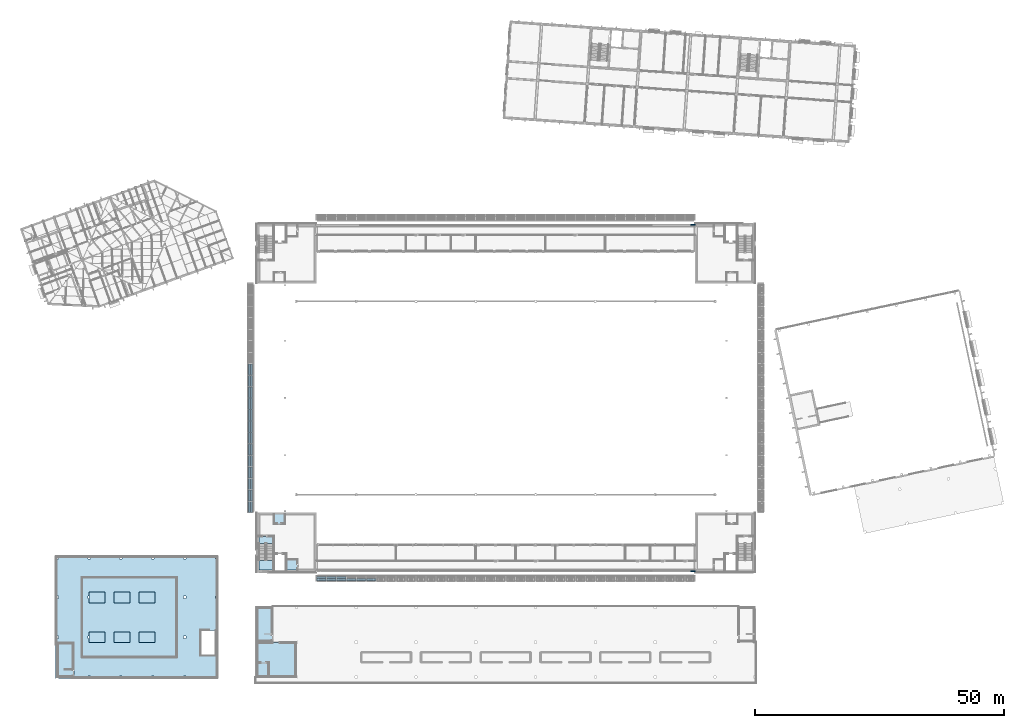
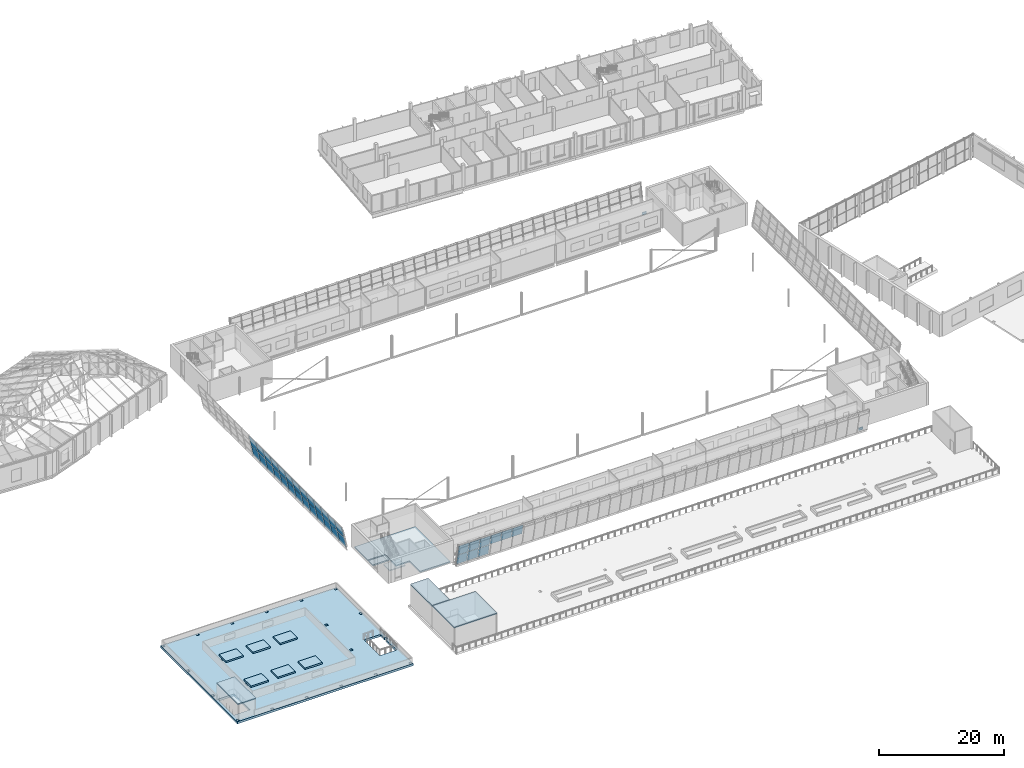
# One storey, part 37 of 95: 35 plates, 13 slabs, 2 beams, 3 elements without a shape of their own.
"""IFC4 building model written with IfcOpenShell, lengths in metres."""

from ifc_helpers import new_model, si_unit, direction, frame, origin, origin_2d, place, context, subcontext, project, spatial, polyline, i_section, outline, extrude, material, layer, layer_set, material_profile, profile_set, type_object, element, aggregate, save


model = new_model("IFC4")

# Units and contexts
model_context = context("Model", 3, precision=1e-05, world=origin(), true_north=direction((0.0, 1.0)))
body_context = subcontext(model_context, "Body", "Model", "MODEL_VIEW")
ifc_project = project(units=[si_unit("LENGTHUNIT", "METRE"), si_unit("AREAUNIT", "SQUARE_METRE"), si_unit("VOLUMEUNIT", "CUBIC_METRE"), si_unit("PLANEANGLEUNIT", "RADIAN"), si_unit("MASSUNIT", "GRAM", prefix="KILO")], contexts=[model_context])

# Site, building, storey
site_placement = place(None, origin())
site = spatial("IfcSite", under=ifc_project, at=site_placement, CompositionType="ELEMENT")
building_placement = place(site_placement, origin())
building = spatial("IfcBuilding", under=site, at=building_placement, Name="Windward Yard Aquatics Centre", CompositionType="ELEMENT")
storey_placement = place(building_placement, frame((0.0, 0.0, 9.39990234375)))
storey = spatial("IfcBuildingStorey", under=building, at=storey_placement, Name="L02", CompositionType="ELEMENT", Elevation=9.39990234375)

# Beams
ifc_material_1 = material(Name="Steel ASTM A992 Gr 50", Category="steel")
ifc_material_profile = material_profile(ifc_material_1, i_section(OverallWidth=0.19091796875, OverallDepth=0.45703125, WebThickness=0.009033203125, FlangeThickness=0.014404296875, at=origin_2d()), Name="W460X74")
ifc_profile_set = profile_set([ifc_material_profile], Name="Steel ASTM A992 Gr 50")
beam_type = type_object("IfcBeamType", Name="H gallery edge beam W460X74", PredefinedType="BEAM", material=ifc_profile_set)
for number, where, z_axis, x_axis, name in (
    (1, (139.17626953125, 26.22509765625, -0.428466796875), (1.0, 0.0, 0.0), (0.0, 1.0, 0.0), "H.GB.S.O9"),
    (2, (139.17626953125, 95.77490234375, -0.428466796875), (1.0, 0.0, 0.0), (0.0, 1.0, 0.0), "H.GB.N.O9"),
):
    element("IfcBeam", number, at=place(storey_placement, frame(where, z_axis=z_axis, x_axis=x_axis)), inside=storey, type_object=beam_type, Name=name, PredefinedType="BEAM", context=body_context, shape_type="SweptSolid", body=[
        extrude(i_section(OverallWidth=0.19091796875, OverallDepth=0.45703125, WebThickness=0.009033203125, FlangeThickness=0.014404296875, at=origin_2d()), origin(), (0.0, 0.0, 1.0), 0.82373046875),
    ])

# Slabs
ifc_material_2 = material(Name="Concrete C35/45", Category="concrete")
ifc_layer_1 = layer(ifc_material_2, 0.199951171875)
ifc_layer_set_1 = layer_set([ifc_layer_1], Name="C head-house roof 200")
slab_type_1 = type_object("IfcSlabType", Name="C head-house roof 200", PredefinedType="ROOF", material=ifc_layer_set_1)
slab_1_placement = place(storey_placement, frame((0.0, 0.0, 4.0)))
element("IfcSlab", 3, at=slab_1_placement, inside=storey, type_object=slab_type_1, Name="C.S.L02.HHL", PredefinedType="ROOF", context=body_context, shape_type="SweptSolid", body=[
    extrude(outline(polyline([(52.0, 5.0), (60.0, 5.0), (60.0, 12.0), (52.0, 12.0), (52.0, 5.0)])), origin(), (0.0, 0.0, 1.0), 0.2001953125),
])
slab_2_placement = place(storey_placement, frame((0.0, 0.0, 4.0)))
element("IfcSlab", 4, at=slab_2_placement, inside=storey, type_object=slab_type_1, Name="C.S.L02.HHS1", PredefinedType="ROOF", context=body_context, shape_type="SweptSolid", body=[
    extrude(outline(polyline([(52.0, 12.050048828125), (55.300048828125, 12.050048828125), (55.300048828125, 19.0), (52.0, 19.0), (52.0, 12.050048828125)])), origin(), (0.0, 0.0, 1.0), 0.2001953125),
])
ifc_layer_2 = layer(ifc_material_2, 0.25)
ifc_layer_set_2 = layer_set([ifc_layer_2], Name="H Core Floor Concrete C35/45 250")
slab_type_2 = type_object("IfcSlabType", Name="H Core Floor Concrete C35/45 250", PredefinedType="FLOOR", material=ifc_layer_set_2)
slab_3_placement = place(storey_placement, frame((0.0, 0.0, -0.25)))
element("IfcSlab", 5, at=slab_3_placement, inside=storey, type_object=slab_type_2, Name="L02 core floor SW", PredefinedType="FLOOR", context=body_context, shape_type="SweptSolid", body=[
    extrude(outline(polyline([(52.449951171875, 33.39990234375), (55.60009765625, 33.39990234375), (55.60009765625, 29.85009765625), (58.10009765625, 29.85009765625), (58.10009765625, 26.449951171875), (63.699951171875, 26.449951171875), (63.699951171875, 37.699951171875), (52.449951171875, 37.699951171875), (52.449951171875, 33.39990234375)])), origin(), (0.0, 0.0, 1.0), 0.25),
])
slab_4_placement = place(storey_placement, frame((0.0, 0.0, -0.25)))
element("IfcSlab", 6, at=slab_4_placement, inside=storey, type_object=slab_type_2, Name="L02 stair floor landing SW", PredefinedType="FLOOR", context=body_context, shape_type="SweptSolid", body=[
    extrude(outline(polyline([(52.449951171875, 31.800048828125), (55.39990234375, 31.800048828125), (55.39990234375, 33.199951171875), (52.449951171875, 33.199951171875), (52.449951171875, 31.800048828125)])), origin(), (0.0, 0.0, 1.0), 0.25),
])

# Stair, slab
stair_type = type_object("IfcStairType", Name="H Core Stair Concrete C35/45 1400", PredefinedType="HALF_TURN_STAIR", material=ifc_material_2)
stair_placement = place(storey_placement, origin())
stair = element("IfcStair", 7, at=stair_placement, inside=storey, type_object=stair_type, Name="L02 Stair SW", PredefinedType="HALF_TURN_STAIR")
ifc_layer_3 = layer(ifc_material_2, 0.199951171875)
ifc_layer_set_3 = layer_set([ifc_layer_3], Name="H Stair Landing Concrete C35/45 200")
slab_type_3 = type_object("IfcSlabType", Name="H Stair Landing Concrete C35/45 200", PredefinedType="LANDING", material=ifc_layer_set_3)
slab_5_placement = place(storey_placement, frame((0.0, 0.0, 2.0)))
slab_5 = element("IfcSlab", 8, at=slab_5_placement, type_object=slab_type_3, Name="ST1 landing 1", PredefinedType="LANDING", context=body_context, shape_type="SweptSolid", body=[
    extrude(outline(polyline([(52.449951171875, 26.449951171875), (55.39990234375, 26.449951171875), (55.39990234375, 28.43994140625), (52.449951171875, 28.43994140625), (52.449951171875, 26.449951171875)])), origin(), (0.0, 0.0, 1.0), 0.2001953125),
])
aggregate(stair, [slab_5])

# Curtain wall, plates
ifc_material_3 = material(Name="Glass and aluminium curtain wall", Category="aluminium")
ifc_layer_4 = layer(ifc_material_3, 0.179931640625)
ifc_layer_set_4 = layer_set([ifc_layer_4], Name="H curtain wall tier 1 double glazed 8+16+8")
curtain_wall_type = type_object("IfcCurtainWallType", Name="H curtain wall tier 1 double glazed 8+16+8", PredefinedType="NOTDEFINED", material=ifc_layer_set_4)
curtain_wall_1_placement = place(storey_placement, origin())
curtain_wall_1 = element("IfcCurtainWall", 9, at=curtain_wall_1_placement, inside=storey, type_object=curtain_wall_type, Name="Tier 1 glazing S L02", PredefinedType="NOTDEFINED")
ifc_material_4 = material(Name="Low-iron glass", Category="glass")
ifc_layer_5 = layer(ifc_material_4, 0.008, Name="Outer pane")
ifc_material_5 = material(Name="Argon-filled cavity")
ifc_layer_6 = layer(ifc_material_5, 0.016, Name="Cavity")
ifc_layer_7 = layer(ifc_material_4, 0.008, Name="Inner pane")
ifc_layer_set_5 = layer_set([ifc_layer_5, ifc_layer_6, ifc_layer_7], Name="H tier 1 glass low-e double glazed unit 32")
plate_type = type_object("IfcPlateType", Name="H tier 1 glass low-e double glazed unit 32", PredefinedType="CURTAIN_PANEL", material=ifc_layer_set_5)
plate_1_placement = place(storey_placement, frame((64.06494140625, 24.7900390625, 2.079345703125), z_axis=(0.0, 0.979933459069, 0.199324900092), x_axis=(0.0, 0.199324900092, -0.979933459069)))
plate_1 = element("IfcPlate", 10, at=plate_1_placement, type_object=plate_type, Name="G1SA panel 1.1", PredefinedType="CURTAIN_PANEL", context=body_context, shape_type="SweptSolid", body=[
    extrude(outline(polyline([(0.0, 0.0), (2.018532, 0.0), (2.018532, -1.902344), (0.0, -1.902344), (0.0, 0.0)])), origin(), (0.0, 0.0, -1.0), 0.031982421875),
])
plate_2_placement = place(storey_placement, frame((64.06494140625, 24.368896484375, 4.14892578125), z_axis=(0.0, 0.979926619255, 0.199358523457), x_axis=(0.0, 0.199358523457, -0.979926619255)))
plate_2 = element("IfcPlate", 11, at=plate_2_placement, type_object=plate_type, Name="G1SA panel 1.2", PredefinedType="CURTAIN_PANEL", context=body_context, shape_type="SweptSolid", body=[
    extrude(outline(polyline([(0.0, 0.0), (2.012069, 0.0), (2.012069, -1.902344), (0.0, -1.902344), (0.0, 0.0)])), origin(), (0.0, 0.0, -1.0), 0.031982421875),
])
plate_3_placement = place(storey_placement, frame((66.0322265625, 24.7900390625, 2.079345703125), z_axis=(0.0, 0.979933459069, 0.199324900092), x_axis=(0.0, 0.199324900092, -0.979933459069)))
plate_3 = element("IfcPlate", 12, at=plate_3_placement, type_object=plate_type, Name="G1SA panel 2.1", PredefinedType="CURTAIN_PANEL", context=body_context, shape_type="SweptSolid", body=[
    extrude(outline(polyline([(0.0, 0.0), (2.018532, 0.0), (2.018532, -1.934814), (0.0, -1.934814), (0.0, 0.0)])), origin(), (0.0, 0.0, -1.0), 0.031982421875),
])
plate_4_placement = place(storey_placement, frame((66.0322265625, 24.368896484375, 4.14892578125), z_axis=(0.0, 0.979926619255, 0.199358523457), x_axis=(0.0, 0.199358523457, -0.979926619255)))
plate_4 = element("IfcPlate", 13, at=plate_4_placement, type_object=plate_type, Name="G1SA panel 2.2", PredefinedType="CURTAIN_PANEL", context=body_context, shape_type="SweptSolid", body=[
    extrude(outline(polyline([(0.0, 0.0), (2.012069, 0.0), (2.012069, -1.934814), (0.0, -1.934814), (0.0, 0.0)])), origin(), (0.0, 0.0, -1.0), 0.031982421875),
])
plate_5_placement = place(storey_placement, frame((68.031982421875, 24.7900390625, 2.079345703125), z_axis=(0.0, 0.979933459069, 0.199324900092), x_axis=(0.0, 0.199324900092, -0.979933459069)))
plate_5 = element("IfcPlate", 14, at=plate_5_placement, type_object=plate_type, Name="G1SA panel 3.1", PredefinedType="CURTAIN_PANEL", context=body_context, shape_type="SweptSolid", body=[
    extrude(outline(polyline([(0.0, 0.0), (2.018532, 0.0), (2.018532, -1.934814), (0.0, -1.934814), (0.0, 0.0)])), origin(), (0.0, 0.0, -1.0), 0.031982421875),
])
plate_6_placement = place(storey_placement, frame((68.031982421875, 24.368896484375, 4.14892578125), z_axis=(0.0, 0.979926619255, 0.199358523457), x_axis=(0.0, 0.199358523457, -0.979926619255)))
plate_6 = element("IfcPlate", 15, at=plate_6_placement, type_object=plate_type, Name="G1SA panel 3.2", PredefinedType="CURTAIN_PANEL", context=body_context, shape_type="SweptSolid", body=[
    extrude(outline(polyline([(0.0, 0.0), (2.012069, 0.0), (2.012069, -1.934814), (0.0, -1.934814), (0.0, 0.0)])), origin(), (0.0, 0.0, -1.0), 0.031982421875),
])
plate_7_placement = place(storey_placement, frame((70.03173828125, 24.368896484375, 4.14892578125), z_axis=(0.0, 0.979926619255, 0.199358523457), x_axis=(0.0, 0.199358523457, -0.979926619255)))
plate_7 = element("IfcPlate", 16, at=plate_7_placement, type_object=plate_type, Name="G1SA panel 4.2", PredefinedType="CURTAIN_PANEL", context=body_context, shape_type="SweptSolid", body=[
    extrude(outline(polyline([(0.0, 0.0), (2.012069, 0.0), (2.012069, -1.934814), (0.0, -1.934814), (0.0, 0.0)])), origin(), (0.0, 0.0, -1.0), 0.031982421875),
])
plate_8_placement = place(storey_placement, frame((72.031494140625, 24.368896484375, 4.14892578125), z_axis=(0.0, 0.979926619255, 0.199358523457), x_axis=(0.0, 0.199358523457, -0.979926619255)))
plate_8 = element("IfcPlate", 17, at=plate_8_placement, type_object=plate_type, Name="G1SA panel 5.2", PredefinedType="CURTAIN_PANEL", context=body_context, shape_type="SweptSolid", body=[
    extrude(outline(polyline([(0.0, 0.0), (2.012069, 0.0), (2.012069, -1.93457), (0.0, -1.93457), (0.0, 0.0)])), origin(), (0.0, 0.0, -1.0), 0.031982421875),
])
plate_9_placement = place(storey_placement, frame((74.03125, 24.368896484375, 4.14892578125), z_axis=(0.0, 0.979926619255, 0.199358523457), x_axis=(0.0, 0.199358523457, -0.979926619255)))
plate_9 = element("IfcPlate", 18, at=plate_9_placement, type_object=plate_type, Name="G1SA panel 6.2", PredefinedType="CURTAIN_PANEL", context=body_context, shape_type="SweptSolid", body=[
    extrude(outline(polyline([(0.0, 0.0), (2.012069, 0.0), (2.012069, -1.93457), (0.0, -1.93457), (0.0, 0.0)])), origin(), (0.0, 0.0, -1.0), 0.031982421875),
])
aggregate(curtain_wall_1, [plate_1, plate_2, plate_3, plate_4, plate_5, plate_6, plate_7, plate_8, plate_9])

curtain_wall_2_placement = place(storey_placement, origin())
curtain_wall_2 = element("IfcCurtainWall", 19, at=curtain_wall_2_placement, inside=storey, type_object=curtain_wall_type, Name="Tier 1 glazing W L02", PredefinedType="NOTDEFINED")
plate_10_placement = place(storey_placement, frame((50.7900390625, 38.06494140625, 2.079345703125), z_axis=(0.979933459069, 0.0, 0.199324900092), x_axis=(0.199324900092, 0.0, -0.979933459069)))
plate_10 = element("IfcPlate", 20, at=plate_10_placement, type_object=plate_type, Name="G1WA panel 1.1", PredefinedType="CURTAIN_PANEL", context=body_context, shape_type="SweptSolid", body=[
    extrude(outline(polyline([(0.0, 0.0), (2.018532, 0.0), (2.018532, 2.202637), (0.0, 2.202637), (0.0, 0.0)])), origin(), (0.0, 0.0, -1.0), 0.031982421875),
])
plate_11_placement = place(storey_placement, frame((50.368896484375, 38.06494140625, 4.14892578125), z_axis=(0.979926619255, 0.0, 0.199358523457), x_axis=(0.199358523457, 0.0, -0.979926619255)))
plate_11 = element("IfcPlate", 21, at=plate_11_placement, type_object=plate_type, Name="G1WA panel 1.2", PredefinedType="CURTAIN_PANEL", context=body_context, shape_type="SweptSolid", body=[
    extrude(outline(polyline([(0.0, 0.0), (2.012069, 0.0), (2.012069, 2.202637), (0.0, 2.202637), (0.0, 0.0)])), origin(), (0.0, 0.0, -1.0), 0.031982421875),
])
plate_12_placement = place(storey_placement, frame((50.7900390625, 40.33251953125, 2.079345703125), z_axis=(0.979933459069, 0.0, 0.199324900092), x_axis=(0.199324900092, 0.0, -0.979933459069)))
plate_12 = element("IfcPlate", 22, at=plate_12_placement, type_object=plate_type, Name="G1WA panel 2.1", PredefinedType="CURTAIN_PANEL", context=body_context, shape_type="SweptSolid", body=[
    extrude(outline(polyline([(0.0, 0.0), (2.018532, 0.0), (2.018532, 2.234863), (0.0, 2.234863), (0.0, 0.0)])), origin(), (0.0, 0.0, -1.0), 0.031982421875),
])
plate_13_placement = place(storey_placement, frame((50.368896484375, 40.33251953125, 4.14892578125), z_axis=(0.979926619255, 0.0, 0.199358523457), x_axis=(0.199358523457, 0.0, -0.979926619255)))
plate_13 = element("IfcPlate", 23, at=plate_13_placement, type_object=plate_type, Name="G1WA panel 2.2", PredefinedType="CURTAIN_PANEL", context=body_context, shape_type="SweptSolid", body=[
    extrude(outline(polyline([(0.0, 0.0), (2.012069, 0.0), (2.012069, 2.234863), (0.0, 2.234863), (0.0, 0.0)])), origin(), (0.0, 0.0, -1.0), 0.031982421875),
])
plate_14_placement = place(storey_placement, frame((50.7900390625, 42.632568359375, 2.079345703125), z_axis=(0.979933459069, 0.0, 0.199324900092), x_axis=(0.199324900092, 0.0, -0.979933459069)))
plate_14 = element("IfcPlate", 24, at=plate_14_placement, type_object=plate_type, Name="G1WA panel 3.1", PredefinedType="CURTAIN_PANEL", context=body_context, shape_type="SweptSolid", body=[
    extrude(outline(polyline([(0.0, 0.0), (2.018532, 0.0), (2.018532, 2.234863), (0.0, 2.234863), (0.0, 0.0)])), origin(), (0.0, 0.0, -1.0), 0.031982421875),
])
plate_15_placement = place(storey_placement, frame((50.368896484375, 42.632568359375, 4.14892578125), z_axis=(0.979926619255, 0.0, 0.199358523457), x_axis=(0.199358523457, 0.0, -0.979926619255)))
plate_15 = element("IfcPlate", 25, at=plate_15_placement, type_object=plate_type, Name="G1WA panel 3.2", PredefinedType="CURTAIN_PANEL", context=body_context, shape_type="SweptSolid", body=[
    extrude(outline(polyline([(0.0, 0.0), (2.012069, 0.0), (2.012069, 2.234863), (0.0, 2.234863), (0.0, 0.0)])), origin(), (0.0, 0.0, -1.0), 0.031982421875),
])
plate_16_placement = place(storey_placement, frame((50.7900390625, 44.9326171875, 2.079345703125), z_axis=(0.979933459069, 0.0, 0.199324900092), x_axis=(0.199324900092, 0.0, -0.979933459069)))
plate_16 = element("IfcPlate", 26, at=plate_16_placement, type_object=plate_type, Name="G1WA panel 4.1", PredefinedType="CURTAIN_PANEL", context=body_context, shape_type="SweptSolid", body=[
    extrude(outline(polyline([(0.0, 0.0), (2.018532, 0.0), (2.018532, 2.234863), (0.0, 2.234863), (0.0, 0.0)])), origin(), (0.0, 0.0, -1.0), 0.031982421875),
])
plate_17_placement = place(storey_placement, frame((50.368896484375, 44.9326171875, 4.14892578125), z_axis=(0.979926619255, 0.0, 0.199358523457), x_axis=(0.199358523457, 0.0, -0.979926619255)))
plate_17 = element("IfcPlate", 27, at=plate_17_placement, type_object=plate_type, Name="G1WA panel 4.2", PredefinedType="CURTAIN_PANEL", context=body_context, shape_type="SweptSolid", body=[
    extrude(outline(polyline([(0.0, 0.0), (2.012069, 0.0), (2.012069, 2.234863), (0.0, 2.234863), (0.0, 0.0)])), origin(), (0.0, 0.0, -1.0), 0.031982421875),
])
plate_18_placement = place(storey_placement, frame((50.7900390625, 47.232421875, 2.079345703125), z_axis=(0.979933459069, 0.0, 0.199324900092), x_axis=(0.199324900092, 0.0, -0.979933459069)))
plate_18 = element("IfcPlate", 28, at=plate_18_placement, type_object=plate_type, Name="G1WA panel 5.1", PredefinedType="CURTAIN_PANEL", context=body_context, shape_type="SweptSolid", body=[
    extrude(outline(polyline([(0.0, 0.0), (2.018532, 0.0), (2.018532, 2.235107), (0.0, 2.235107), (0.0, 0.0)])), origin(), (0.0, 0.0, -1.0), 0.031982421875),
])
plate_19_placement = place(storey_placement, frame((50.368896484375, 47.232421875, 4.14892578125), z_axis=(0.979926619255, 0.0, 0.199358523457), x_axis=(0.199358523457, 0.0, -0.979926619255)))
plate_19 = element("IfcPlate", 29, at=plate_19_placement, type_object=plate_type, Name="G1WA panel 5.2", PredefinedType="CURTAIN_PANEL", context=body_context, shape_type="SweptSolid", body=[
    extrude(outline(polyline([(0.0, 0.0), (2.012069, 0.0), (2.012069, 2.235107), (0.0, 2.235107), (0.0, 0.0)])), origin(), (0.0, 0.0, -1.0), 0.031982421875),
])
plate_20_placement = place(storey_placement, frame((50.7900390625, 49.532470703125, 2.079345703125), z_axis=(0.979933459069, 0.0, 0.199324900092), x_axis=(0.199324900092, 0.0, -0.979933459069)))
plate_20 = element("IfcPlate", 30, at=plate_20_placement, type_object=plate_type, Name="G1WA panel 6.1", PredefinedType="CURTAIN_PANEL", context=body_context, shape_type="SweptSolid", body=[
    extrude(outline(polyline([(0.0, 0.0), (2.018532, 0.0), (2.018532, 2.235107), (0.0, 2.235107), (0.0, 0.0)])), origin(), (0.0, 0.0, -1.0), 0.031982421875),
])
plate_21_placement = place(storey_placement, frame((50.368896484375, 49.532470703125, 4.14892578125), z_axis=(0.979926619255, 0.0, 0.199358523457), x_axis=(0.199358523457, 0.0, -0.979926619255)))
plate_21 = element("IfcPlate", 31, at=plate_21_placement, type_object=plate_type, Name="G1WA panel 6.2", PredefinedType="CURTAIN_PANEL", context=body_context, shape_type="SweptSolid", body=[
    extrude(outline(polyline([(0.0, 0.0), (2.012069, 0.0), (2.012069, 2.235107), (0.0, 2.235107), (0.0, 0.0)])), origin(), (0.0, 0.0, -1.0), 0.031982421875),
])
plate_22_placement = place(storey_placement, frame((50.7900390625, 51.83251953125, 2.079345703125), z_axis=(0.979933459069, 0.0, 0.199324900092), x_axis=(0.199324900092, 0.0, -0.979933459069)))
plate_22 = element("IfcPlate", 32, at=plate_22_placement, type_object=plate_type, Name="G1WA panel 7.1", PredefinedType="CURTAIN_PANEL", context=body_context, shape_type="SweptSolid", body=[
    extrude(outline(polyline([(0.0, 0.0), (2.018532, 0.0), (2.018532, 2.234863), (0.0, 2.234863), (0.0, 0.0)])), origin(), (0.0, 0.0, -1.0), 0.031982421875),
])
plate_23_placement = place(storey_placement, frame((50.368896484375, 51.83251953125, 4.14892578125), z_axis=(0.979926619255, 0.0, 0.199358523457), x_axis=(0.199358523457, 0.0, -0.979926619255)))
plate_23 = element("IfcPlate", 33, at=plate_23_placement, type_object=plate_type, Name="G1WA panel 7.2", PredefinedType="CURTAIN_PANEL", context=body_context, shape_type="SweptSolid", body=[
    extrude(outline(polyline([(0.0, 0.0), (2.012069, 0.0), (2.012069, 2.234863), (0.0, 2.234863), (0.0, 0.0)])), origin(), (0.0, 0.0, -1.0), 0.031982421875),
])
plate_24_placement = place(storey_placement, frame((50.7900390625, 54.132568359375, 2.079345703125), z_axis=(0.979933459069, 0.0, 0.199324900092), x_axis=(0.199324900092, 0.0, -0.979933459069)))
plate_24 = element("IfcPlate", 34, at=plate_24_placement, type_object=plate_type, Name="G1WA panel 8.1", PredefinedType="CURTAIN_PANEL", context=body_context, shape_type="SweptSolid", body=[
    extrude(outline(polyline([(0.0, 0.0), (2.018532, 0.0), (2.018532, 2.234863), (0.0, 2.234863), (0.0, 0.0)])), origin(), (0.0, 0.0, -1.0), 0.031982421875),
])
plate_25_placement = place(storey_placement, frame((50.368896484375, 54.132568359375, 4.14892578125), z_axis=(0.979926619255, 0.0, 0.199358523457), x_axis=(0.199358523457, 0.0, -0.979926619255)))
plate_25 = element("IfcPlate", 35, at=plate_25_placement, type_object=plate_type, Name="G1WA panel 8.2", PredefinedType="CURTAIN_PANEL", context=body_context, shape_type="SweptSolid", body=[
    extrude(outline(polyline([(0.0, 0.0), (2.012069, 0.0), (2.012069, 2.234863), (0.0, 2.234863), (0.0, 0.0)])), origin(), (0.0, 0.0, -1.0), 0.031982421875),
])
plate_26_placement = place(storey_placement, frame((50.7900390625, 56.4326171875, 2.079345703125), z_axis=(0.979933459069, 0.0, 0.199324900092), x_axis=(0.199324900092, 0.0, -0.979933459069)))
plate_26 = element("IfcPlate", 36, at=plate_26_placement, type_object=plate_type, Name="G1WA panel 9.1", PredefinedType="CURTAIN_PANEL", context=body_context, shape_type="SweptSolid", body=[
    extrude(outline(polyline([(0.0, 0.0), (2.018532, 0.0), (2.018532, 2.234863), (0.0, 2.234863), (0.0, 0.0)])), origin(), (0.0, 0.0, -1.0), 0.031982421875),
])
plate_27_placement = place(storey_placement, frame((50.368896484375, 56.4326171875, 4.14892578125), z_axis=(0.979926619255, 0.0, 0.199358523457), x_axis=(0.199358523457, 0.0, -0.979926619255)))
plate_27 = element("IfcPlate", 37, at=plate_27_placement, type_object=plate_type, Name="G1WA panel 9.2", PredefinedType="CURTAIN_PANEL", context=body_context, shape_type="SweptSolid", body=[
    extrude(outline(polyline([(0.0, 0.0), (2.012069, 0.0), (2.012069, 2.234863), (0.0, 2.234863), (0.0, 0.0)])), origin(), (0.0, 0.0, -1.0), 0.031982421875),
])
plate_28_placement = place(storey_placement, frame((50.7900390625, 58.732421875, 2.079345703125), z_axis=(0.979933459069, 0.0, 0.199324900092), x_axis=(0.199324900092, 0.0, -0.979933459069)))
plate_28 = element("IfcPlate", 38, at=plate_28_placement, type_object=plate_type, Name="G1WA panel 10.1", PredefinedType="CURTAIN_PANEL", context=body_context, shape_type="SweptSolid", body=[
    extrude(outline(polyline([(0.0, 0.0), (2.018532, 0.0), (2.018532, 2.235107), (0.0, 2.235107), (0.0, 0.0)])), origin(), (0.0, 0.0, -1.0), 0.031982421875),
])
plate_29_placement = place(storey_placement, frame((50.368896484375, 58.732421875, 4.14892578125), z_axis=(0.979926619255, 0.0, 0.199358523457), x_axis=(0.199358523457, 0.0, -0.979926619255)))
plate_29 = element("IfcPlate", 39, at=plate_29_placement, type_object=plate_type, Name="G1WA panel 10.2", PredefinedType="CURTAIN_PANEL", context=body_context, shape_type="SweptSolid", body=[
    extrude(outline(polyline([(0.0, 0.0), (2.012069, 0.0), (2.012069, 2.235107), (0.0, 2.235107), (0.0, 0.0)])), origin(), (0.0, 0.0, -1.0), 0.031982421875),
])
plate_30_placement = place(storey_placement, frame((50.7900390625, 61.032470703125, 2.079345703125), z_axis=(0.979933459069, 0.0, 0.199324900092), x_axis=(0.199324900092, 0.0, -0.979933459069)))
plate_30 = element("IfcPlate", 40, at=plate_30_placement, type_object=plate_type, Name="G1WA panel 11.1", PredefinedType="CURTAIN_PANEL", context=body_context, shape_type="SweptSolid", body=[
    extrude(outline(polyline([(0.0, 0.0), (2.018532, 0.0), (2.018532, 2.235107), (0.0, 2.235107), (0.0, 0.0)])), origin(), (0.0, 0.0, -1.0), 0.031982421875),
])
plate_31_placement = place(storey_placement, frame((50.368896484375, 61.032470703125, 4.14892578125), z_axis=(0.979926619255, 0.0, 0.199358523457), x_axis=(0.199358523457, 0.0, -0.979926619255)))
plate_31 = element("IfcPlate", 41, at=plate_31_placement, type_object=plate_type, Name="G1WA panel 11.2", PredefinedType="CURTAIN_PANEL", context=body_context, shape_type="SweptSolid", body=[
    extrude(outline(polyline([(0.0, 0.0), (2.012069, 0.0), (2.012069, 2.235107), (0.0, 2.235107), (0.0, 0.0)])), origin(), (0.0, 0.0, -1.0), 0.031982421875),
])
plate_32_placement = place(storey_placement, frame((50.7900390625, 63.33251953125, 2.079345703125), z_axis=(0.979933459069, 0.0, 0.199324900092), x_axis=(0.199324900092, 0.0, -0.979933459069)))
plate_32 = element("IfcPlate", 42, at=plate_32_placement, type_object=plate_type, Name="G1WA panel 12.1", PredefinedType="CURTAIN_PANEL", context=body_context, shape_type="SweptSolid", body=[
    extrude(outline(polyline([(0.0, 0.0), (2.018532, 0.0), (2.018532, 2.234863), (0.0, 2.234863), (0.0, 0.0)])), origin(), (0.0, 0.0, -1.0), 0.031982421875),
])
plate_33_placement = place(storey_placement, frame((50.368896484375, 63.33251953125, 4.14892578125), z_axis=(0.979926619255, 0.0, 0.199358523457), x_axis=(0.199358523457, 0.0, -0.979926619255)))
plate_33 = element("IfcPlate", 43, at=plate_33_placement, type_object=plate_type, Name="G1WA panel 12.2", PredefinedType="CURTAIN_PANEL", context=body_context, shape_type="SweptSolid", body=[
    extrude(outline(polyline([(0.0, 0.0), (2.012069, 0.0), (2.012069, 2.234863), (0.0, 2.234863), (0.0, 0.0)])), origin(), (0.0, 0.0, -1.0), 0.031982421875),
])
plate_34_placement = place(storey_placement, frame((50.7900390625, 65.632568359375, 2.079345703125), z_axis=(0.979933459069, 0.0, 0.199324900092), x_axis=(0.199324900092, 0.0, -0.979933459069)))
plate_34 = element("IfcPlate", 44, at=plate_34_placement, type_object=plate_type, Name="G1WA panel 13.1", PredefinedType="CURTAIN_PANEL", context=body_context, shape_type="SweptSolid", body=[
    extrude(outline(polyline([(0.0, 0.0), (2.018532, 0.0), (2.018532, 2.234863), (0.0, 2.234863), (0.0, 0.0)])), origin(), (0.0, 0.0, -1.0), 0.031982421875),
])
plate_35_placement = place(storey_placement, frame((50.368896484375, 65.632568359375, 4.14892578125), z_axis=(0.979926619255, 0.0, 0.199358523457), x_axis=(0.199358523457, 0.0, -0.979926619255)))
plate_35 = element("IfcPlate", 45, at=plate_35_placement, type_object=plate_type, Name="G1WA panel 13.2", PredefinedType="CURTAIN_PANEL", context=body_context, shape_type="SweptSolid", body=[
    extrude(outline(polyline([(0.0, 0.0), (2.012069, 0.0), (2.012069, 2.234863), (0.0, 2.234863), (0.0, 0.0)])), origin(), (0.0, 0.0, -1.0), 0.031982421875),
])
aggregate(curtain_wall_2, [plate_10, plate_11, plate_12, plate_13, plate_14, plate_15, plate_16, plate_17, plate_18, plate_19, plate_20, plate_21, plate_22, plate_23, plate_24, plate_25, plate_26, plate_27, plate_28, plate_29, plate_30, plate_31, plate_32, plate_33, plate_34, plate_35])

# Slabs
ifc_layer_8 = layer(ifc_material_2, 0.300048828125)
ifc_layer_set_6 = layer_set([ifc_layer_8], Name="P equipment base 300")
slab_type_4 = type_object("IfcSlabType", Name="P equipment base 300", PredefinedType="FLOOR", material=ifc_layer_set_6)
slab_6_placement = place(storey_placement, origin())
element("IfcSlab", 46, at=slab_6_placement, inside=storey, type_object=slab_type_4, Name="P.S.L02.EB1", PredefinedType="FLOOR", context=body_context, shape_type="SweptSolid", body=[
    extrude(outline(polyline([(18.39990234375, 11.89990234375), (21.60009765625, 11.89990234375), (21.60009765625, 14.10009765625), (18.39990234375, 14.10009765625), (18.39990234375, 11.89990234375)])), origin(), (0.0, 0.0, 1.0), 0.300048828125),
])
slab_7_placement = place(storey_placement, origin())
element("IfcSlab", 47, at=slab_7_placement, inside=storey, type_object=slab_type_4, Name="P.S.L02.EB2", PredefinedType="FLOOR", context=body_context, shape_type="SweptSolid", body=[
    extrude(outline(polyline([(23.39990234375, 11.89990234375), (26.60009765625, 11.89990234375), (26.60009765625, 14.10009765625), (23.39990234375, 14.10009765625), (23.39990234375, 11.89990234375)])), origin(), (0.0, 0.0, 1.0), 0.300048828125),
])
slab_8_placement = place(storey_placement, origin())
element("IfcSlab", 48, at=slab_8_placement, inside=storey, type_object=slab_type_4, Name="P.S.L02.EB3", PredefinedType="FLOOR", context=body_context, shape_type="SweptSolid", body=[
    extrude(outline(polyline([(28.39990234375, 11.89990234375), (31.60009765625, 11.89990234375), (31.60009765625, 14.10009765625), (28.39990234375, 14.10009765625), (28.39990234375, 11.89990234375)])), origin(), (0.0, 0.0, 1.0), 0.300048828125),
])
slab_9_placement = place(storey_placement, origin())
element("IfcSlab", 49, at=slab_9_placement, inside=storey, type_object=slab_type_4, Name="P.S.L02.EB4", PredefinedType="FLOOR", context=body_context, shape_type="SweptSolid", body=[
    extrude(outline(polyline([(18.39990234375, 19.89990234375), (21.60009765625, 19.89990234375), (21.60009765625, 22.10009765625), (18.39990234375, 22.10009765625), (18.39990234375, 19.89990234375)])), origin(), (0.0, 0.0, 1.0), 0.300048828125),
])
slab_10_placement = place(storey_placement, origin())
element("IfcSlab", 50, at=slab_10_placement, inside=storey, type_object=slab_type_4, Name="P.S.L02.EB5", PredefinedType="FLOOR", context=body_context, shape_type="SweptSolid", body=[
    extrude(outline(polyline([(23.39990234375, 19.89990234375), (26.60009765625, 19.89990234375), (26.60009765625, 22.10009765625), (23.39990234375, 22.10009765625), (23.39990234375, 19.89990234375)])), origin(), (0.0, 0.0, 1.0), 0.300048828125),
])
slab_11_placement = place(storey_placement, origin())
element("IfcSlab", 51, at=slab_11_placement, inside=storey, type_object=slab_type_4, Name="P.S.L02.EB6", PredefinedType="FLOOR", context=body_context, shape_type="SweptSolid", body=[
    extrude(outline(polyline([(28.39990234375, 19.89990234375), (31.60009765625, 19.89990234375), (31.60009765625, 22.10009765625), (28.39990234375, 22.10009765625), (28.39990234375, 19.89990234375)])), origin(), (0.0, 0.0, 1.0), 0.300048828125),
])
ifc_layer_9 = layer(ifc_material_2, 0.199951171875)
ifc_layer_set_7 = layer_set([ifc_layer_9], Name="P head-house roof 200")
slab_type_5 = type_object("IfcSlabType", Name="P head-house roof 200", PredefinedType="ROOF", material=ifc_layer_set_7)
slab_12_placement = place(storey_placement, frame((0.0, 0.0, 3.0)))
element("IfcSlab", 52, at=slab_12_placement, inside=storey, type_object=slab_type_5, Name="P.S.L02.HHR", PredefinedType="ROOF", context=body_context, shape_type="SweptSolid", body=[
    extrude(outline(polyline([(12.0, 5.0), (15.35009765625, 5.0), (15.35009765625, 11.89990234375), (12.0, 11.89990234375), (12.0, 5.0)])), origin(), (0.0, 0.0, 1.0), 0.2001953125),
])
ifc_material_6 = material(Name="Bituminous waterproofing membrane with root barrier")
ifc_layer_10 = layer(ifc_material_6, 0.005, Name="Waterproofing")
ifc_material_7 = material(Name="Mineral wool insulation")
ifc_layer_11 = layer(ifc_material_7, 0.08, Name="Insulation")
ifc_material_8 = material(Name="Cement screed laid to falls")
ifc_layer_12 = layer(ifc_material_8, 0.04, Name="Falls")
ifc_layer_13 = layer(ifc_material_2, 0.295, Name="Structure")
ifc_layer_set_8 = layer_set([ifc_layer_10, ifc_layer_11, ifc_layer_12, ifc_layer_13], Name="P roof slab 420")
slab_type_6 = type_object("IfcSlabType", Name="P roof slab 420", PredefinedType="ROOF", material=ifc_layer_set_8)
slab_13_placement = place(storey_placement, frame((0.0, 0.0, -0.419921875)))
element("IfcSlab", 53, at=slab_13_placement, inside=storey, type_object=slab_type_6, Name="P.S.L02", PredefinedType="ROOF", context=body_context, shape_type="SweptSolid", body=[
    extrude(outline(polyline([(11.699951171875, 4.699951171875), (44.300048828125, 4.699951171875), (44.300048828125, 29.300048828125), (11.699951171875, 29.300048828125), (11.699951171875, 4.699951171875)]), holes=[polyline([(11.75, 4.75), (11.75, 5.25), (12.25, 5.25), (12.25, 4.75), (11.75, 4.75)]), polyline([(18.14990234375, 4.75), (18.14990234375, 5.25), (18.64990234375, 5.25), (18.64990234375, 4.75), (18.14990234375, 4.75)]), polyline([(24.550048828125, 4.75), (24.550048828125, 5.25), (25.050048828125, 5.25), (25.050048828125, 4.75), (24.550048828125, 4.75)]), polyline([(12.14990234375, 6.610107421875), (12.14990234375, 11.699951171875), (15.14990234375, 11.699951171875), (15.14990234375, 6.610107421875), (12.14990234375, 6.610107421875)]), polyline([(11.75, 12.75), (11.75, 13.25), (12.25, 13.25), (12.25, 12.75), (11.75, 12.75)]), polyline([(18.14990234375, 12.75), (18.14990234375, 13.25), (18.64990234375, 13.25), (18.64990234375, 12.75), (18.14990234375, 12.75)]), polyline([(24.550048828125, 12.75), (24.550048828125, 13.25), (25.050048828125, 13.25), (25.050048828125, 12.75), (24.550048828125, 12.75)]), polyline([(11.75, 20.75), (11.75, 21.25), (12.25, 21.25), (12.25, 20.75), (11.75, 20.75)]), polyline([(18.14990234375, 20.75), (18.14990234375, 21.25), (18.64990234375, 21.25), (18.64990234375, 20.75), (18.14990234375, 20.75)]), polyline([(24.550048828125, 20.75), (24.550048828125, 21.25), (25.050048828125, 21.25), (25.050048828125, 20.75), (24.550048828125, 20.75)]), polyline([(11.75, 28.75), (11.75, 29.25), (12.25, 29.25), (12.25, 28.75), (11.75, 28.75)]), polyline([(18.14990234375, 28.75), (18.14990234375, 29.25), (18.64990234375, 29.25), (18.64990234375, 28.75), (18.14990234375, 28.75)]), polyline([(24.550048828125, 28.75), (24.550048828125, 29.25), (25.050048828125, 29.25), (25.050048828125, 28.75), (24.550048828125, 28.75)]), polyline([(30.949951171875, 4.75), (30.949951171875, 5.25), (31.449951171875, 5.25), (31.449951171875, 4.75), (30.949951171875, 4.75)]), polyline([(37.35009765625, 4.75), (37.35009765625, 5.25), (37.85009765625, 5.25), (37.85009765625, 4.75), (37.35009765625, 4.75)]), polyline([(43.75, 4.75), (43.75, 5.25), (44.25, 5.25), (44.25, 4.75), (43.75, 4.75)]), polyline([(40.75, 9.300048828125), (40.75, 14.389892578125), (43.85009765625, 14.389892578125), (43.85009765625, 13.25), (44.25, 13.25), (44.25, 12.75), (43.85009765625, 12.75), (43.85009765625, 9.300048828125), (40.75, 9.300048828125)]), polyline([(30.949951171875, 12.75), (30.949951171875, 13.25), (31.449951171875, 13.25), (31.449951171875, 12.75), (30.949951171875, 12.75)]), polyline([(37.35009765625, 12.75), (37.35009765625, 13.25), (37.85009765625, 13.25), (37.85009765625, 12.75), (37.35009765625, 12.75)]), polyline([(30.949951171875, 20.75), (30.949951171875, 21.25), (31.449951171875, 21.25), (31.449951171875, 20.75), (30.949951171875, 20.75)]), polyline([(37.35009765625, 20.75), (37.35009765625, 21.25), (37.85009765625, 21.25), (37.85009765625, 20.75), (37.35009765625, 20.75)]), polyline([(43.75, 20.75), (43.75, 21.25), (44.25, 21.25), (44.25, 20.75), (43.75, 20.75)]), polyline([(30.949951171875, 28.75), (30.949951171875, 29.25), (31.449951171875, 29.25), (31.449951171875, 28.75), (30.949951171875, 28.75)]), polyline([(37.35009765625, 28.75), (37.35009765625, 29.25), (37.85009765625, 29.25), (37.85009765625, 28.75), (37.35009765625, 28.75)]), polyline([(43.75, 28.75), (43.75, 29.25), (44.25, 29.25), (44.25, 28.75), (43.75, 28.75)])]), origin(), (0.0, 0.0, 1.0), 0.419921875),
])

save(model, "model.ifc")
